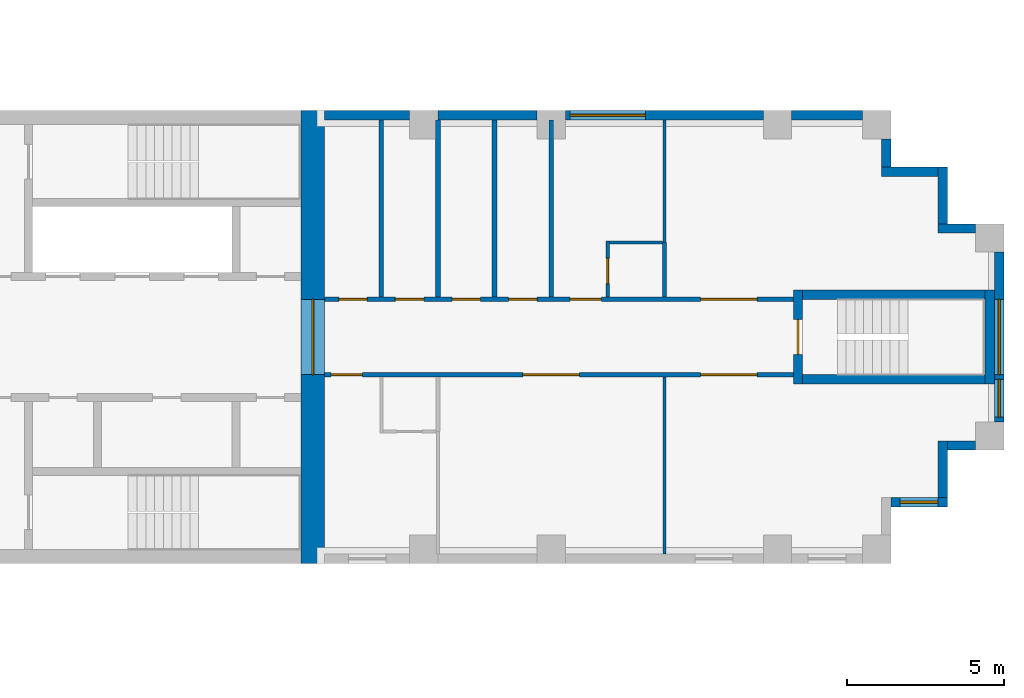
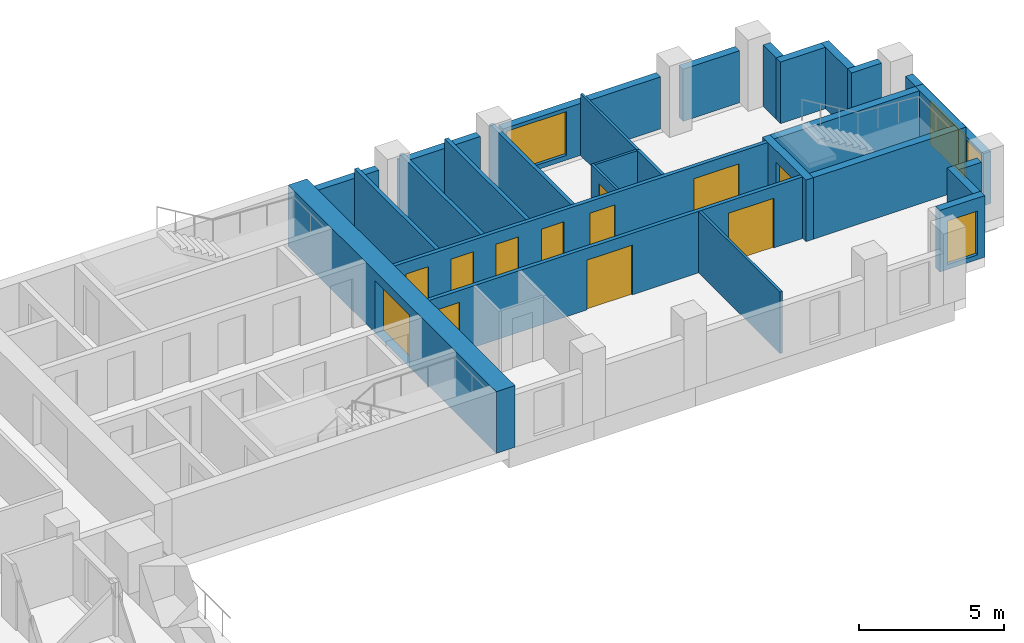
# One storey, part 9 of 12: 28 walls, 12 doors, 4 windows, 16 openings.
"""IFC4 building model written with IfcOpenShell, lengths in metres."""

from ifc_helpers import new_model, si_unit, direction, frame, frame_2d, origin, place, context, subcontext, project, spatial, rectangle, extrude, material, layer, layer_set, type_object, element, fill, save


model = new_model("IFC4")

# Units and contexts
model_context = context("Model", 3, precision=1e-05, world=origin(), true_north=direction((0.0, 1.0)))
body_context = subcontext(model_context, "Body", "Model", "MODEL_VIEW")
ifc_project = project(units=[si_unit("LENGTHUNIT", "METRE"), si_unit("AREAUNIT", "SQUARE_METRE"), si_unit("VOLUMEUNIT", "CUBIC_METRE"), si_unit("PLANEANGLEUNIT", "RADIAN"), si_unit("MASSUNIT", "GRAM", prefix="KILO")], contexts=[model_context])

# Site, building, storey
site_placement = place(None, origin())
site = spatial("IfcSite", under=ifc_project, at=site_placement, CompositionType="ELEMENT")
building_placement = place(site_placement, origin())
building = spatial("IfcBuilding", under=site, at=building_placement, Name="Fustian Cross Tower", CompositionType="ELEMENT")
storey_placement = place(building_placement, frame((0.0, 0.0, 150.300048828125)))
storey = spatial("IfcBuildingStorey", under=building, at=storey_placement, Name="L47", CompositionType="ELEMENT", Elevation=150.300048828125)

# Wall, openings, doors
ifc_material_1 = material(Name="Plasterboard on steel stud", Category="steel")
ifc_layer_1 = layer(ifc_material_1, 0.14990234375)
ifc_layer_set_1 = layer_set([ifc_layer_1], Name="Plasterboard on steel stud")
wall_type_1 = type_object("IfcWallType", Name="COMPARTMENT WALL 150 EI 60", PredefinedType="PARTITIONING", material=ifc_layer_set_1)
wall_1_placement = place(storey_placement, frame((21.60009765625, -1.199951171875, 0.0), z_axis=(0.0, 0.0, 1.0), x_axis=(1.0, 0.0, 0.0)))
wall_1 = element("IfcWall", 1, at=wall_1_placement, inside=storey, type_object=wall_type_1, Name="Partition 55", PredefinedType="PARTITIONING", context=body_context, shape_type="SweptSolid", body=[
    extrude(rectangle(XDim=14.89990234375, YDim=0.14990234375, at=frame_2d((7.449951171875, 0.0))), origin(), (0.0, 0.0, 1.0), 2.599853515625),
])
opening_1_placement = place(wall_1_placement, frame((0.199951171875, 0.0, 0.0)))
opening_1 = element("IfcOpeningElement", 2, at=opening_1_placement, cuts=wall_1, Name="Opening D21014", PredefinedType="OPENING", context=body_context, shape_type="SweptSolid", body=[
    extrude(rectangle(XDim=1.0, YDim=2.10009765625, at=frame_2d((0.5, 1.050048828125))), frame((0.0, 0.0849609375, 0.0), z_axis=(0.0, -1.0, 0.0), x_axis=(1.0, 0.0, 0.0)), (0.0, 0.0, 1.0), 0.169921875),
])
opening_2_placement = place(wall_1_placement, frame((6.300048828125, 0.0, 0.0)))
opening_2 = element("IfcOpeningElement", 3, at=opening_2_placement, cuts=wall_1, Name="Opening D21015", PredefinedType="OPENING", context=body_context, shape_type="SweptSolid", body=[
    extrude(rectangle(XDim=1.800048828125, YDim=2.10009765625, at=frame_2d((0.89990234375, 1.050048828125))), frame((0.0, 0.0849609375, 0.0), z_axis=(0.0, -1.0, 0.0), x_axis=(1.0, 0.0, 0.0)), (0.0, 0.0, 1.0), 0.169921875),
])
opening_3_placement = place(wall_1_placement, frame((11.949951171875, 0.0, 0.0)))
opening_3 = element("IfcOpeningElement", 4, at=opening_3_placement, cuts=wall_1, Name="Opening D21016", PredefinedType="OPENING", context=body_context, shape_type="SweptSolid", body=[
    extrude(rectangle(XDim=1.800048828125, YDim=2.10009765625, at=frame_2d((0.89990234375, 1.050048828125))), frame((0.0, 0.0849609375, 0.0), z_axis=(0.0, -1.0, 0.0), x_axis=(1.0, 0.0, 0.0)), (0.0, 0.0, 1.0), 0.169921875),
])
ifc_material_2 = material(Name="Timber fire door set", Category="wood")
door_type_1 = type_object("IfcDoorType", Name="FIRE DOUBLE DOOR 1800 FD30S", OperationType="DOUBLE_DOOR_DOUBLE_SWING", PredefinedType="DOOR", material=ifc_material_2)
door_1_placement = place(opening_2_placement, origin())
door_1 = element("IfcDoor", 5, at=door_1_placement, inside=storey, type_object=door_type_1, Name="Door D21015", OperationType="DOUBLE_DOOR_DOUBLE_SWING", OverallHeight=2.10009765625, OverallWidth=1.800048828125, PredefinedType="DOOR", context=body_context, shape_type="SweptSolid", body=[
    extrude(rectangle(XDim=1.800048828125, YDim=2.10009765625, at=frame_2d((0.89990234375, 1.050048828125))), frame((0.0, 0.02490234375, 0.0), z_axis=(0.0, -1.0, 0.0), x_axis=(1.0, 0.0, 0.0)), (0.0, 0.0, 1.0), 0.050048828125),
])
fill(opening_2, door_1)
door_2_placement = place(opening_3_placement, origin())
door_2 = element("IfcDoor", 6, at=door_2_placement, inside=storey, type_object=door_type_1, Name="Door D21016", OperationType="DOUBLE_DOOR_DOUBLE_SWING", OverallHeight=2.10009765625, OverallWidth=1.800048828125, PredefinedType="DOOR", context=body_context, shape_type="SweptSolid", body=[
    extrude(rectangle(XDim=1.800048828125, YDim=2.10009765625, at=frame_2d((0.89990234375, 1.050048828125))), frame((0.0, 0.02490234375, 0.0), z_axis=(0.0, -1.0, 0.0), x_axis=(1.0, 0.0, 0.0)), (0.0, 0.0, 1.0), 0.050048828125),
])
fill(opening_3, door_2)
ifc_material_3 = material(Name="Timber fire door set", Category="wood")
door_type_2 = type_object("IfcDoorType", Name="FIRE SWING DOOR 1000 FD30S", OperationType="SINGLE_SWING_LEFT", PredefinedType="DOOR", material=ifc_material_3)
door_3_placement = place(opening_1_placement, frame((1.0, 0.0, 0.0), z_axis=(0.0, 0.0, 1.0), x_axis=(-1.0, 0.0, 0.0)))
door_3 = element("IfcDoor", 7, at=door_3_placement, inside=storey, type_object=door_type_2, Name="Door D21014", OperationType="SINGLE_SWING_RIGHT", OverallHeight=2.10009765625, OverallWidth=1.0, PredefinedType="DOOR", context=body_context, shape_type="SweptSolid", body=[
    extrude(rectangle(XDim=1.0, YDim=2.10009765625, at=frame_2d((0.5, 1.050048828125))), frame((0.0, 0.02490234375, 0.0), z_axis=(0.0, -1.0, 0.0), x_axis=(1.0, 0.0, 0.0)), (0.0, 0.0, 1.0), 0.050048828125),
])
fill(opening_1, door_3)

wall_2_placement = place(storey_placement, frame((21.60009765625, 1.199951171875, 0.0), z_axis=(0.0, 0.0, 1.0), x_axis=(1.0, 0.0, 0.0)))
wall_2 = element("IfcWall", 8, at=wall_2_placement, inside=storey, type_object=wall_type_1, Name="Partition 56", PredefinedType="PARTITIONING", context=body_context, shape_type="SweptSolid", body=[
    extrude(rectangle(XDim=14.89990234375, YDim=0.14990234375, at=frame_2d((7.449951171875, 0.0))), origin(), (0.0, 0.0, 1.0), 2.599853515625),
])
opening_4_placement = place(wall_2_placement, frame((0.449951171875, 0.0, 0.0)))
opening_4 = element("IfcOpeningElement", 9, at=opening_4_placement, cuts=wall_2, Name="Opening D21006", PredefinedType="OPENING", context=body_context, shape_type="SweptSolid", body=[
    extrude(rectangle(XDim=0.89990234375, YDim=2.10009765625, at=frame_2d((0.449951171875, 1.050048828125))), frame((0.0, 0.0849609375, 0.0), z_axis=(0.0, -1.0, 0.0), x_axis=(1.0, 0.0, 0.0)), (0.0, 0.0, 1.0), 0.169921875),
])
opening_5_placement = place(wall_2_placement, frame((2.25, 0.0, 0.0)))
opening_5 = element("IfcOpeningElement", 10, at=opening_5_placement, cuts=wall_2, Name="Opening D21007", PredefinedType="OPENING", context=body_context, shape_type="SweptSolid", body=[
    extrude(rectangle(XDim=0.89990234375, YDim=2.10009765625, at=frame_2d((0.449951171875, 1.050048828125))), frame((0.0, 0.0849609375, 0.0), z_axis=(0.0, -1.0, 0.0), x_axis=(1.0, 0.0, 0.0)), (0.0, 0.0, 1.0), 0.169921875),
])
opening_6_placement = place(wall_2_placement, frame((4.050048828125, 0.0, 0.0)))
opening_6 = element("IfcOpeningElement", 11, at=opening_6_placement, cuts=wall_2, Name="Opening D21008", PredefinedType="OPENING", context=body_context, shape_type="SweptSolid", body=[
    extrude(rectangle(XDim=0.89990234375, YDim=2.10009765625, at=frame_2d((0.449951171875, 1.050048828125))), frame((0.0, 0.0849609375, 0.0), z_axis=(0.0, -1.0, 0.0), x_axis=(1.0, 0.0, 0.0)), (0.0, 0.0, 1.0), 0.169921875),
])
opening_7_placement = place(wall_2_placement, frame((5.85009765625, 0.0, 0.0)))
opening_7 = element("IfcOpeningElement", 12, at=opening_7_placement, cuts=wall_2, Name="Opening D21009", PredefinedType="OPENING", context=body_context, shape_type="SweptSolid", body=[
    extrude(rectangle(XDim=0.89990234375, YDim=2.10009765625, at=frame_2d((0.449951171875, 1.050048828125))), frame((0.0, 0.0849609375, 0.0), z_axis=(0.0, -1.0, 0.0), x_axis=(1.0, 0.0, 0.0)), (0.0, 0.0, 1.0), 0.169921875),
])
opening_8_placement = place(wall_2_placement, frame((7.800048828125, 0.0, 0.0)))
opening_8 = element("IfcOpeningElement", 13, at=opening_8_placement, cuts=wall_2, Name="Opening D21011", PredefinedType="OPENING", context=body_context, shape_type="SweptSolid", body=[
    extrude(rectangle(XDim=1.0, YDim=2.10009765625, at=frame_2d((0.5, 1.050048828125))), frame((0.0, 0.0849609375, 0.0), z_axis=(0.0, -1.0, 0.0), x_axis=(1.0, 0.0, 0.0)), (0.0, 0.0, 1.0), 0.169921875),
])
opening_9_placement = place(wall_2_placement, frame((11.949951171875, 0.0, 0.0)))
opening_9 = element("IfcOpeningElement", 14, at=opening_9_placement, cuts=wall_2, Name="Opening D21012", PredefinedType="OPENING", context=body_context, shape_type="SweptSolid", body=[
    extrude(rectangle(XDim=1.800048828125, YDim=2.10009765625, at=frame_2d((0.89990234375, 1.050048828125))), frame((0.0, 0.0849609375, 0.0), z_axis=(0.0, -1.0, 0.0), x_axis=(1.0, 0.0, 0.0)), (0.0, 0.0, 1.0), 0.169921875),
])
door_4_placement = place(opening_9_placement, frame((1.800048828125, 0.0, 0.0), z_axis=(0.0, 0.0, 1.0), x_axis=(-1.0, 0.0, 0.0)))
door_4 = element("IfcDoor", 15, at=door_4_placement, inside=storey, type_object=door_type_1, Name="Door D21012", OperationType="DOUBLE_DOOR_DOUBLE_SWING", OverallHeight=2.10009765625, OverallWidth=1.800048828125, PredefinedType="DOOR", context=body_context, shape_type="SweptSolid", body=[
    extrude(rectangle(XDim=1.800048828125, YDim=2.10009765625, at=frame_2d((0.89990234375, 1.050048828125))), frame((0.0, 0.02490234375, 0.0), z_axis=(0.0, -1.0, 0.0), x_axis=(1.0, 0.0, 0.0)), (0.0, 0.0, 1.0), 0.050048828125),
])
fill(opening_9, door_4)
door_5_placement = place(opening_8_placement, origin())
door_5 = element("IfcDoor", 16, at=door_5_placement, inside=storey, type_object=door_type_2, Name="Door D21011", OperationType="SINGLE_SWING_RIGHT", OverallHeight=2.10009765625, OverallWidth=1.0, PredefinedType="DOOR", context=body_context, shape_type="SweptSolid", body=[
    extrude(rectangle(XDim=1.0, YDim=2.10009765625, at=frame_2d((0.5, 1.050048828125))), frame((0.0, 0.02490234375, 0.0), z_axis=(0.0, -1.0, 0.0), x_axis=(1.0, 0.0, 0.0)), (0.0, 0.0, 1.0), 0.050048828125),
])
fill(opening_8, door_5)
ifc_material_4 = material(Name="Timber fire door set", Category="wood")
door_type_3 = type_object("IfcDoorType", Name="FIRE SWING DOOR 900 FD30S", OperationType="SINGLE_SWING_LEFT", PredefinedType="DOOR", material=ifc_material_4)
door_6_placement = place(opening_4_placement, origin())
door_6 = element("IfcDoor", 17, at=door_6_placement, inside=storey, type_object=door_type_3, Name="Door D21006", OperationType="SINGLE_SWING_RIGHT", OverallHeight=2.10009765625, OverallWidth=0.89990234375, PredefinedType="DOOR", context=body_context, shape_type="SweptSolid", body=[
    extrude(rectangle(XDim=0.89990234375, YDim=2.10009765625, at=frame_2d((0.449951171875, 1.050048828125))), frame((0.0, 0.02490234375, 0.0), z_axis=(0.0, -1.0, 0.0), x_axis=(1.0, 0.0, 0.0)), (0.0, 0.0, 1.0), 0.050048828125),
])
fill(opening_4, door_6)
door_7_placement = place(opening_5_placement, frame((0.89990234375, 0.0, 0.0), z_axis=(0.0, 0.0, 1.0), x_axis=(-1.0, 0.0, 0.0)))
door_7 = element("IfcDoor", 18, at=door_7_placement, inside=storey, type_object=door_type_3, Name="Door D21007", OperationType="SINGLE_SWING_RIGHT", OverallHeight=2.10009765625, OverallWidth=0.89990234375, PredefinedType="DOOR", context=body_context, shape_type="SweptSolid", body=[
    extrude(rectangle(XDim=0.89990234375, YDim=2.10009765625, at=frame_2d((0.449951171875, 1.050048828125))), frame((0.0, 0.02490234375, 0.0), z_axis=(0.0, -1.0, 0.0), x_axis=(1.0, 0.0, 0.0)), (0.0, 0.0, 1.0), 0.050048828125),
])
fill(opening_5, door_7)
door_8_placement = place(opening_6_placement, frame((0.89990234375, 0.0, 0.0), z_axis=(0.0, 0.0, 1.0), x_axis=(-1.0, 0.0, 0.0)))
door_8 = element("IfcDoor", 19, at=door_8_placement, inside=storey, type_object=door_type_3, Name="Door D21008", OperationType="SINGLE_SWING_RIGHT", OverallHeight=2.10009765625, OverallWidth=0.89990234375, PredefinedType="DOOR", context=body_context, shape_type="SweptSolid", body=[
    extrude(rectangle(XDim=0.89990234375, YDim=2.10009765625, at=frame_2d((0.449951171875, 1.050048828125))), frame((0.0, 0.02490234375, 0.0), z_axis=(0.0, -1.0, 0.0), x_axis=(1.0, 0.0, 0.0)), (0.0, 0.0, 1.0), 0.050048828125),
])
fill(opening_6, door_8)
door_9_placement = place(opening_7_placement, origin())
door_9 = element("IfcDoor", 20, at=door_9_placement, inside=storey, type_object=door_type_3, Name="Door D21009", OperationType="SINGLE_SWING_RIGHT", OverallHeight=2.10009765625, OverallWidth=0.89990234375, PredefinedType="DOOR", context=body_context, shape_type="SweptSolid", body=[
    extrude(rectangle(XDim=0.89990234375, YDim=2.10009765625, at=frame_2d((0.449951171875, 1.050048828125))), frame((0.0, 0.02490234375, 0.0), z_axis=(0.0, -1.0, 0.0), x_axis=(1.0, 0.0, 0.0)), (0.0, 0.0, 1.0), 0.050048828125),
])
fill(opening_7, door_9)

# Walls
for number, where, z_axis, x_axis, name in (
    (21, (23.39990234375, 1.27490234375, 0.0), (0.0, 0.0, 1.0), (0.0, 1.0, 0.0), "Partition 59"),
    (22, (25.199951171875, 1.27490234375, 0.0), (0.0, 0.0, 1.0), (0.0, 1.0, 0.0), "Partition 62"),
    (23, (27.0, 1.27490234375, 0.0), (0.0, 0.0, 1.0), (0.0, 1.0, 0.0), "Partition 63"),
    (24, (28.800048828125, 1.27490234375, 0.0), (0.0, 0.0, 1.0), (0.0, 1.0, 0.0), "Partition 64"),
):
    element("IfcWall", number, at=place(storey_placement, frame(where, z_axis=z_axis, x_axis=x_axis)), inside=storey, type_object=wall_type_1, Name=name, PredefinedType="PARTITIONING", context=body_context, shape_type="SweptSolid", body=[
        extrude(rectangle(XDim=5.625, YDim=0.14990234375, at=frame_2d((2.8125, 0.0))), origin(), (0.0, 0.0, 1.0), 2.599853515625),
    ])

# Wall, opening, door
ifc_material_5 = material(Name="Concrete C60/75", Category="concrete")
ifc_layer_2 = layer(ifc_material_5, 0.75)
ifc_layer_set_2 = layer_set([ifc_layer_2], Name="Concrete C60/75")
wall_type_2 = type_object("IfcWallType", Name="CORE END WALL 750 C60/75", PredefinedType="SHEAR", material=ifc_layer_set_2)
wall_3_placement = place(storey_placement, frame((21.22509765625, -7.199951171875, 0.0), z_axis=(0.0, 0.0, 1.0), x_axis=(0.0, 1.0, 0.0)))
wall_3 = element("IfcWall", 25, at=wall_3_placement, inside=storey, type_object=wall_type_2, Name="Core end wall", PredefinedType="SHEAR", context=body_context, shape_type="SweptSolid", body=[
    extrude(rectangle(XDim=14.39990234375, YDim=0.75, at=frame_2d((7.199951171875, 0.0))), origin(), (0.0, 0.0, 1.0), 2.599853515625),
])
opening_10_placement = place(wall_3_placement, frame((6.0, 0.0, 0.0)))
opening_10 = element("IfcOpeningElement", 26, at=opening_10_placement, cuts=wall_3, Name="Opening CD-16-13", PredefinedType="OPENING", context=body_context, shape_type="SweptSolid", body=[
    extrude(rectangle(XDim=2.39990234375, YDim=2.199951171875, at=frame_2d((1.199951171875, 1.10009765625))), frame((0.0, 0.385009765625, 0.0), z_axis=(0.0, -1.0, 0.0), x_axis=(1.0, 0.0, 0.0)), (0.0, 0.0, 1.0), 0.77001953125),
])
ifc_material_6 = material(Name="Steel", Category="steel")
door_type_4 = type_object("IfcDoorType", Name="FIRE DOOR FD30S DOUBLE 2400X2200", OperationType="DOUBLE_DOOR_DOUBLE_SWING", PredefinedType="DOOR", material=ifc_material_6)
door_10_placement = place(opening_10_placement, origin())
door_10 = element("IfcDoor", 27, at=door_10_placement, inside=storey, type_object=door_type_4, Name="Core door CD-16-13", OperationType="DOUBLE_DOOR_DOUBLE_SWING", OverallHeight=2.199951171875, OverallWidth=2.39990234375, PredefinedType="DOOR", context=body_context, shape_type="SweptSolid", body=[
    extrude(rectangle(XDim=2.39990234375, YDim=2.199951171875, at=frame_2d((1.199951171875, 1.10009765625))), frame((0.0, 0.02490234375, 0.0), z_axis=(0.0, -1.0, 0.0), x_axis=(1.0, 0.0, 0.0)), (0.0, 0.0, 1.0), 0.050048828125),
])
fill(opening_10, door_10)

ifc_material_7 = material(Name="Plasterboard on steel stud", Category="steel")
ifc_layer_3 = layer(ifc_material_7, 0.10009765625)
ifc_layer_set_3 = layer_set([ifc_layer_3], Name="Plasterboard on steel stud")
wall_type_3 = type_object("IfcWallType", Name="PARTITION 100 STUD", PredefinedType="PARTITIONING", material=ifc_layer_set_3)
wall_4_placement = place(storey_placement, frame((30.60009765625, 1.27490234375, 0.0), z_axis=(0.0, 0.0, 1.0), x_axis=(0.0, 1.0, 0.0)))
wall_4 = element("IfcWall", 28, at=wall_4_placement, inside=storey, type_object=wall_type_3, Name="Partition 65", PredefinedType="PARTITIONING", context=body_context, shape_type="SweptSolid", body=[
    extrude(rectangle(XDim=1.775146484375, YDim=0.10009765625, at=frame_2d((0.8876953125, 0.0))), origin(), (0.0, 0.0, 1.0), 2.599853515625),
])
opening_11_placement = place(wall_4_placement, frame((0.425048828125, 0.0, 0.0)))
opening_11 = element("IfcOpeningElement", 29, at=opening_11_placement, cuts=wall_4, Name="Opening D21010", PredefinedType="OPENING", context=body_context, shape_type="SweptSolid", body=[
    extrude(rectangle(XDim=0.800048828125, YDim=2.10009765625, at=frame_2d((0.39990234375, 1.050048828125))), frame((0.0, 0.06005859375, 0.0), z_axis=(0.0, -1.0, 0.0), x_axis=(1.0, 0.0, 0.0)), (0.0, 0.0, 1.0), 0.1201171875),
])
ifc_material_8 = material(Name="Painted timber", Category="wood")
door_type_5 = type_object("IfcDoorType", Name="SWING DOOR 800", OperationType="SINGLE_SWING_LEFT", PredefinedType="DOOR", material=ifc_material_8)
door_11_placement = place(opening_11_placement, frame((0.800048828125, 0.0, 0.0), z_axis=(0.0, 0.0, 1.0), x_axis=(-1.0, 0.0, 0.0)))
door_11 = element("IfcDoor", 30, at=door_11_placement, inside=storey, type_object=door_type_5, Name="Door D21010", OperationType="SINGLE_SWING_LEFT", OverallHeight=2.10009765625, OverallWidth=0.800048828125, PredefinedType="DOOR", context=body_context, shape_type="SweptSolid", body=[
    extrude(rectangle(XDim=0.800048828125, YDim=2.10009765625, at=frame_2d((0.39990234375, 1.050048828125))), frame((0.0, 0.02490234375, 0.0), z_axis=(0.0, -1.0, 0.0), x_axis=(1.0, 0.0, 0.0)), (0.0, 0.0, 1.0), 0.050048828125),
])
fill(opening_11, door_11)

# Walls
wall_5_placement = place(storey_placement, frame((30.64990234375, 3.0, 0.0), z_axis=(0.0, 0.0, 1.0), x_axis=(1.0, 0.0, 0.0)))
element("IfcWall", 31, at=wall_5_placement, inside=storey, type_object=wall_type_3, Name="Partition 66", PredefinedType="PARTITIONING", context=body_context, shape_type="SweptSolid", body=[
    extrude(rectangle(XDim=1.6875, YDim=0.10009765625, at=frame_2d((0.84375, 0.0))), origin(), (0.0, 0.0, 1.0), 2.599853515625),
])
wall_6_placement = place(storey_placement, frame((32.39990234375, -6.89990234375, 0.0), z_axis=(0.0, 0.0, 1.0), x_axis=(0.0, 1.0, 0.0)))
element("IfcWall", 32, at=wall_6_placement, inside=storey, type_object=wall_type_3, Name="Partition 67", PredefinedType="PARTITIONING", context=body_context, shape_type="SweptSolid", body=[
    extrude(rectangle(XDim=5.625, YDim=0.10009765625, at=frame_2d((2.8125, 0.0))), origin(), (0.0, 0.0, 1.0), 2.599853515625),
])
wall_7_placement = place(storey_placement, frame((32.39990234375, 3.0, 0.0), z_axis=(0.0, 0.0, 1.0), x_axis=(0.0, 1.0, 0.0)))
element("IfcWall", 33, at=wall_7_placement, inside=storey, type_object=wall_type_3, Name="Partition 69", PredefinedType="PARTITIONING", context=body_context, shape_type="SweptSolid", body=[
    extrude(rectangle(XDim=3.89990234375, YDim=0.10009765625, at=frame_2d((1.949951171875, 0.0))), origin(), (0.0, 0.0, 1.0), 2.599853515625),
])

# Wall, opening, door
ifc_material_9 = material(Name="Concrete C50/60", Category="concrete")
ifc_layer_4 = layer(ifc_material_9, 0.300048828125)
ifc_layer_set_4 = layer_set([ifc_layer_4], Name="Concrete C50/60")
wall_type_4 = type_object("IfcWallType", Name="STAIR ENCLOSURE WALL 300 C50/60", PredefinedType="SHEAR", material=ifc_layer_set_4)
wall_8_placement = place(storey_placement, frame((36.64990234375, -1.5, 0.0), z_axis=(0.0, 0.0, 1.0), x_axis=(0.0, 1.0, 0.0)))
wall_8 = element("IfcWall", 34, at=wall_8_placement, inside=storey, type_object=wall_type_4, Name="Stair enclosure wall", PredefinedType="SHEAR", context=body_context, shape_type="SweptSolid", body=[
    extrude(rectangle(XDim=3.0, YDim=0.300048828125, at=frame_2d((1.5, 0.0))), origin(), (0.0, 0.0, 1.0), 2.599853515625),
])
opening_12_placement = place(wall_8_placement, frame((0.949951171875, 0.0, 0.0)))
opening_12 = element("IfcOpeningElement", 35, at=opening_12_placement, cuts=wall_8, Name="Opening CD-16-35", PredefinedType="OPENING", context=body_context, shape_type="SweptSolid", body=[
    extrude(rectangle(XDim=1.10009765625, YDim=2.10009765625, at=frame_2d((0.550048828125, 1.050048828125))), frame((0.0, 0.159912109375, 0.0), z_axis=(0.0, -1.0, 0.0), x_axis=(1.0, 0.0, 0.0)), (0.0, 0.0, 1.0), 0.320068359375),
])
ifc_material_10 = material(Name="Steel", Category="steel")
door_type_6 = type_object("IfcDoorType", Name="FIRE DOOR FD60S 1100X2100", OperationType="SINGLE_SWING_LEFT", PredefinedType="DOOR", material=ifc_material_10)
door_12_placement = place(opening_12_placement, frame((1.10009765625, 0.0, 0.0), z_axis=(0.0, 0.0, 1.0), x_axis=(-1.0, 0.0, 0.0)))
door_12 = element("IfcDoor", 36, at=door_12_placement, inside=storey, type_object=door_type_6, Name="Core door CD-16-35", OperationType="SINGLE_SWING_RIGHT", OverallHeight=2.10009765625, OverallWidth=1.10009765625, PredefinedType="DOOR", context=body_context, shape_type="SweptSolid", body=[
    extrude(rectangle(XDim=1.10009765625, YDim=2.10009765625, at=frame_2d((0.550048828125, 1.050048828125))), frame((0.0, 0.02490234375, 0.0), z_axis=(0.0, -1.0, 0.0), x_axis=(1.0, 0.0, 0.0)), (0.0, 0.0, 1.0), 0.050048828125),
])
fill(opening_12, door_12)

# Walls
wall_9_placement = place(storey_placement, frame((42.75, -1.5, 0.0), z_axis=(0.0, 0.0, 1.0), x_axis=(0.0, 1.0, 0.0)))
element("IfcWall", 37, at=wall_9_placement, inside=storey, type_object=wall_type_4, Name="Stair enclosure wall", PredefinedType="SHEAR", context=body_context, shape_type="SweptSolid", body=[
    extrude(rectangle(XDim=3.0, YDim=0.300048828125, at=frame_2d((1.5, 0.0))), origin(), (0.0, 0.0, 1.0), 2.599853515625),
])
for number, where, z_axis, x_axis, name in (
    (38, (36.800048828125, -1.35009765625, 0.0), (0.0, 0.0, 1.0), (1.0, 0.0, 0.0), "Stair enclosure wall"),
    (39, (36.800048828125, 1.35009765625, 0.0), (0.0, 0.0, 1.0), (1.0, 0.0, 0.0), "Stair enclosure wall"),
):
    element("IfcWall", number, at=place(storey_placement, frame(where, z_axis=z_axis, x_axis=x_axis)), inside=storey, type_object=wall_type_4, Name=name, PredefinedType="SHEAR", context=body_context, shape_type="SweptSolid", body=[
        extrude(rectangle(XDim=5.800048828125, YDim=0.300048828125, at=frame_2d((2.89990234375, 0.0))), origin(), (0.0, 0.0, 1.0), 2.599853515625),
    ])
ifc_material_11 = material(Name="Plasterboard on steel stud", Category="steel")
ifc_layer_5 = layer(ifc_material_11, 0.125)
ifc_layer_set_5 = layer_set([ifc_layer_5], Name="Plasterboard on steel stud")
wall_type_5 = type_object("IfcWallType", Name="WET WALL 125 STUD", PredefinedType="PARTITIONING", material=ifc_layer_set_5)
wall_10_placement = place(storey_placement, frame((32.39990234375, 1.27490234375, 0.0), z_axis=(0.0, 0.0, 1.0), x_axis=(0.0, 1.0, 0.0)))
element("IfcWall", 40, at=wall_10_placement, inside=storey, type_object=wall_type_5, Name="Partition 68", PredefinedType="PARTITIONING", context=body_context, shape_type="SweptSolid", body=[
    extrude(rectangle(XDim=1.72509765625, YDim=0.125, at=frame_2d((0.862548828125, 0.0))), origin(), (0.0, 0.0, 1.0), 2.599853515625),
])

# Wall, opening, window
ifc_material_12 = material(Name="Dark aluminium cladding on insulated backing wall", Category="aluminium")
ifc_layer_6 = layer(ifc_material_12, 0.300048828125)
ifc_layer_set_6 = layer_set([ifc_layer_6], Name="Dark aluminium cladding on insulated backing wall")
wall_type_6 = type_object("IfcWallType", Name="XW1 EXTERNAL WALL 300", PredefinedType="SOLIDWALL", material=ifc_layer_set_6)
wall_11_placement = place(storey_placement, frame((39.60009765625, -5.25, 0.0), z_axis=(0.0, 0.0, 1.0), x_axis=(1.0, 0.0, 0.0)))
wall_11 = element("IfcWall", 41, at=wall_11_placement, inside=storey, type_object=wall_type_6, Name="External wall", PredefinedType="SOLIDWALL", context=body_context, shape_type="SweptSolid", body=[
    extrude(rectangle(XDim=1.7998046875, YDim=0.300048828125, at=frame_2d((0.89990234375, 0.0))), origin(), (0.0, 0.0, 1.0), 2.599853515625),
])
opening_13_placement = place(wall_11_placement, frame((0.300048828125, 0.0, 0.199951171875)))
opening_13 = element("IfcOpeningElement", 42, at=opening_13_placement, cuts=wall_11, Name="Opening WN3", PredefinedType="OPENING", context=body_context, shape_type="SweptSolid", body=[
    extrude(rectangle(XDim=1.199951171875, YDim=1.85009765625, at=frame_2d((0.60009765625, 0.925048828125))), frame((0.0, 0.159912109375, 0.0), z_axis=(0.0, -1.0, 0.0), x_axis=(1.0, 0.0, 0.0)), (0.0, 0.0, 1.0), 0.320068359375),
])
ifc_material_13 = material(Name="Dark anodised aluminium and double glazing", Category="aluminium")
window_type_1 = type_object("IfcWindowType", Name="WN3 WINDOW 1200X1850", PartitioningType="SINGLE_PANEL", PredefinedType="WINDOW", material=ifc_material_13)
window_1_placement = place(opening_13_placement, origin())
window_1 = element("IfcWindow", 43, at=window_1_placement, inside=storey, type_object=window_type_1, Name="Window", OverallHeight=1.85009765625, OverallWidth=1.199951171875, PartitioningType="SINGLE_PANEL", PredefinedType="WINDOW", context=body_context, shape_type="SweptSolid", body=[
    extrude(rectangle(XDim=1.199951171875, YDim=1.85009765625, at=frame_2d((0.60009765625, 0.925048828125))), frame((0.0, 0.030029296875, 0.0), z_axis=(0.0, -1.0, 0.0), x_axis=(1.0, 0.0, 0.0)), (0.0, 0.0, 1.0), 0.06005859375),
])
fill(opening_13, window_1)

# Walls
wall_12_placement = place(storey_placement, frame((41.25, -5.10009765625, 0.0), z_axis=(0.0, 0.0, 1.0), x_axis=(0.0, 1.0, 0.0)))
element("IfcWall", 44, at=wall_12_placement, inside=storey, type_object=wall_type_6, Name="External wall", PredefinedType="SOLIDWALL", context=body_context, shape_type="SweptSolid", body=[
    extrude(rectangle(XDim=1.800048828125, YDim=0.300048828125, at=frame_2d((0.89990234375, 0.0))), origin(), (0.0, 0.0, 1.0), 2.599853515625),
])
wall_13_placement = place(storey_placement, frame((41.39990234375, -3.449951171875, 0.0), z_axis=(0.0, 0.0, 1.0), x_axis=(1.0, 0.0, 0.0)))
element("IfcWall", 45, at=wall_13_placement, inside=storey, type_object=wall_type_6, Name="External wall", PredefinedType="SOLIDWALL", context=body_context, shape_type="SweptSolid", body=[
    extrude(rectangle(XDim=0.900146484375, YDim=0.300048828125, at=frame_2d((0.4501953125, 0.0))), origin(), (0.0, 0.0, 1.0), 2.599853515625),
])

# Wall, openings, windows
wall_14_placement = place(storey_placement, frame((43.050048828125, -2.699951171875, 0.0), z_axis=(0.0, 0.0, 1.0), x_axis=(0.0, 1.0, 0.0)))
wall_14 = element("IfcWall", 46, at=wall_14_placement, inside=storey, type_object=wall_type_6, Name="External wall", PredefinedType="SOLIDWALL", context=body_context, shape_type="SweptSolid", body=[
    extrude(rectangle(XDim=5.39990234375, YDim=0.300048828125, at=frame_2d((2.699951171875, 0.0))), origin(), (0.0, 0.0, 1.0), 2.199951171875),
])
opening_14_placement = place(wall_14_placement, frame((1.5, 0.0, 0.199951171875)))
opening_14 = element("IfcOpeningElement", 47, at=opening_14_placement, cuts=wall_14, Name="Opening WN1", PredefinedType="OPENING", context=body_context, shape_type="SweptSolid", body=[
    extrude(rectangle(XDim=2.39990234375, YDim=1.85009765625, at=frame_2d((1.199951171875, 0.925048828125))), frame((0.0, 0.159912109375, 0.0), z_axis=(0.0, -1.0, 0.0), x_axis=(1.0, 0.0, 0.0)), (0.0, 0.0, 1.0), 0.320068359375),
])
opening_15_placement = place(wall_14_placement, frame((0.14990234375, 0.0, 0.199951171875)))
opening_15 = element("IfcOpeningElement", 48, at=opening_15_placement, cuts=wall_14, Name="Opening WN3", PredefinedType="OPENING", context=body_context, shape_type="SweptSolid", body=[
    extrude(rectangle(XDim=1.199951171875, YDim=1.85009765625, at=frame_2d((0.60009765625, 0.925048828125))), frame((0.0, 0.159912109375, 0.0), z_axis=(0.0, -1.0, 0.0), x_axis=(1.0, 0.0, 0.0)), (0.0, 0.0, 1.0), 0.320068359375),
])
ifc_material_14 = material(Name="Dark anodised aluminium and double glazing", Category="aluminium")
window_type_2 = type_object("IfcWindowType", Name="WN1 WINDOW 2400X1850", PartitioningType="SINGLE_PANEL", PredefinedType="WINDOW", material=ifc_material_14)
window_2_placement = place(opening_14_placement, origin())
window_2 = element("IfcWindow", 49, at=window_2_placement, inside=storey, type_object=window_type_2, Name="Window", OverallHeight=1.85009765625, OverallWidth=2.39990234375, PartitioningType="SINGLE_PANEL", PredefinedType="WINDOW", context=body_context, shape_type="SweptSolid", body=[
    extrude(rectangle(XDim=2.39990234375, YDim=1.85009765625, at=frame_2d((1.199951171875, 0.925048828125))), frame((0.0, 0.030029296875, 0.0), z_axis=(0.0, -1.0, 0.0), x_axis=(1.0, 0.0, 0.0)), (0.0, 0.0, 1.0), 0.06005859375),
])
fill(opening_14, window_2)
window_3_placement = place(opening_15_placement, origin())
window_3 = element("IfcWindow", 50, at=window_3_placement, inside=storey, type_object=window_type_1, Name="Window", OverallHeight=1.85009765625, OverallWidth=1.199951171875, PartitioningType="SINGLE_PANEL", PredefinedType="WINDOW", context=body_context, shape_type="SweptSolid", body=[
    extrude(rectangle(XDim=1.199951171875, YDim=1.85009765625, at=frame_2d((0.60009765625, 0.925048828125))), frame((0.0, 0.030029296875, 0.0), z_axis=(0.0, -1.0, 0.0), x_axis=(1.0, 0.0, 0.0)), (0.0, 0.0, 1.0), 0.06005859375),
])
fill(opening_15, window_3)

# Walls
wall_15_placement = place(storey_placement, frame((42.300048828125, 3.449951171875, 0.0), z_axis=(0.0, 0.0, 1.0), x_axis=(-1.0, 0.0, 0.0)))
element("IfcWall", 51, at=wall_15_placement, inside=storey, type_object=wall_type_6, Name="External wall", PredefinedType="SOLIDWALL", context=body_context, shape_type="SweptSolid", body=[
    extrude(rectangle(XDim=1.199951171875, YDim=0.300048828125, at=frame_2d((0.60009765625, 0.0))), origin(), (0.0, 0.0, 1.0), 2.599853515625),
])
wall_16_placement = place(storey_placement, frame((41.25, 3.60009765625, 0.0), z_axis=(0.0, 0.0, 1.0), x_axis=(0.0, 1.0, 0.0)))
element("IfcWall", 52, at=wall_16_placement, inside=storey, type_object=wall_type_6, Name="External wall", PredefinedType="SOLIDWALL", context=body_context, shape_type="SweptSolid", body=[
    extrude(rectangle(XDim=1.7998046875, YDim=0.300048828125, at=frame_2d((0.89990234375, 0.0))), origin(), (0.0, 0.0, 1.0), 2.599853515625),
])
wall_17_placement = place(storey_placement, frame((41.10009765625, 5.25, 0.0), z_axis=(0.0, 0.0, 1.0), x_axis=(-1.0, 0.0, 0.0)))
element("IfcWall", 53, at=wall_17_placement, inside=storey, type_object=wall_type_6, Name="External wall", PredefinedType="SOLIDWALL", context=body_context, shape_type="SweptSolid", body=[
    extrude(rectangle(XDim=1.800048828125, YDim=0.300048828125, at=frame_2d((0.89990234375, 0.0))), origin(), (0.0, 0.0, 1.0), 2.599853515625),
])
wall_18_placement = place(storey_placement, frame((39.449951171875, 5.39990234375, 0.0), z_axis=(0.0, 0.0, 1.0), x_axis=(0.0, 1.0, 0.0)))
element("IfcWall", 54, at=wall_18_placement, inside=storey, type_object=wall_type_6, Name="External wall", PredefinedType="SOLIDWALL", context=body_context, shape_type="SweptSolid", body=[
    extrude(rectangle(XDim=0.900146484375, YDim=0.300048828125, at=frame_2d((0.4501953125, 0.0))), origin(), (0.0, 0.0, 1.0), 2.599853515625),
])
wall_19_placement = place(storey_placement, frame((38.699951171875, 7.050048828125, 0.0), z_axis=(0.0, 0.0, 1.0), x_axis=(-1.0, 0.0, 0.0)))
element("IfcWall", 55, at=wall_19_placement, inside=storey, type_object=wall_type_6, Name="External wall", PredefinedType="SOLIDWALL", context=body_context, shape_type="SweptSolid", body=[
    extrude(rectangle(XDim=2.25, YDim=0.300048828125, at=frame_2d((1.125, 0.0))), origin(), (0.0, 0.0, 1.0), 2.199951171875),
])

# Wall, opening, window
wall_20_placement = place(storey_placement, frame((35.550048828125, 7.050048828125, 0.0), z_axis=(0.0, 0.0, 1.0), x_axis=(-1.0, 0.0, 0.0)))
wall_20 = element("IfcWall", 56, at=wall_20_placement, inside=storey, type_object=wall_type_6, Name="External wall", PredefinedType="SOLIDWALL", context=body_context, shape_type="SweptSolid", body=[
    extrude(rectangle(XDim=6.300048828125, YDim=0.300048828125, at=frame_2d((3.14990234375, 0.0))), origin(), (0.0, 0.0, 1.0), 2.199951171875),
])
opening_16_placement = place(wall_20_placement, frame((3.75, 0.0, 0.199951171875)))
opening_16 = element("IfcOpeningElement", 57, at=opening_16_placement, cuts=wall_20, Name="Opening WN1", PredefinedType="OPENING", context=body_context, shape_type="SweptSolid", body=[
    extrude(rectangle(XDim=2.39990234375, YDim=1.85009765625, at=frame_2d((1.199951171875, 0.925048828125))), frame((0.0, 0.159912109375, 0.0), z_axis=(0.0, -1.0, 0.0), x_axis=(1.0, 0.0, 0.0)), (0.0, 0.0, 1.0), 0.320068359375),
])
window_4_placement = place(opening_16_placement, origin())
window_4 = element("IfcWindow", 58, at=window_4_placement, inside=storey, type_object=window_type_2, Name="Window", OverallHeight=1.85009765625, OverallWidth=2.39990234375, PartitioningType="SINGLE_PANEL", PredefinedType="WINDOW", context=body_context, shape_type="SweptSolid", body=[
    extrude(rectangle(XDim=2.39990234375, YDim=1.85009765625, at=frame_2d((1.199951171875, 0.925048828125))), frame((0.0, 0.030029296875, 0.0), z_axis=(0.0, -1.0, 0.0), x_axis=(1.0, 0.0, 0.0)), (0.0, 0.0, 1.0), 0.06005859375),
])
fill(opening_16, window_4)

# Walls
wall_21_placement = place(storey_placement, frame((28.35009765625, 7.050048828125, 0.0), z_axis=(0.0, 0.0, 1.0), x_axis=(-1.0, 0.0, 0.0)))
element("IfcWall", 59, at=wall_21_placement, inside=storey, type_object=wall_type_6, Name="External wall", PredefinedType="SOLIDWALL", context=body_context, shape_type="SweptSolid", body=[
    extrude(rectangle(XDim=3.150146484375, YDim=0.300048828125, at=frame_2d((1.5751953125, 0.0))), origin(), (0.0, 0.0, 1.0), 2.199951171875),
])
wall_22_placement = place(storey_placement, frame((24.300048828125, 7.050048828125, 0.0), z_axis=(0.0, 0.0, 1.0), x_axis=(-1.0, 0.0, 0.0)))
element("IfcWall", 60, at=wall_22_placement, inside=storey, type_object=wall_type_6, Name="External wall", PredefinedType="SOLIDWALL", context=body_context, shape_type="SweptSolid", body=[
    extrude(rectangle(XDim=2.699951171875, YDim=0.300048828125, at=frame_2d((1.35009765625, 0.0))), origin(), (0.0, 0.0, 1.0), 2.199951171875),
])

save(model, "model.ifc")
